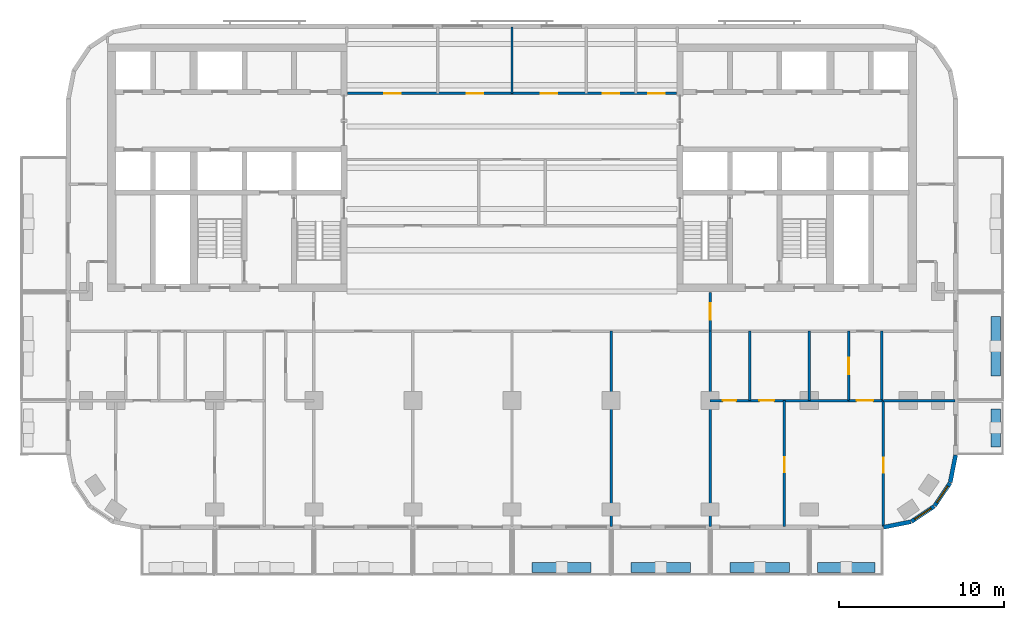
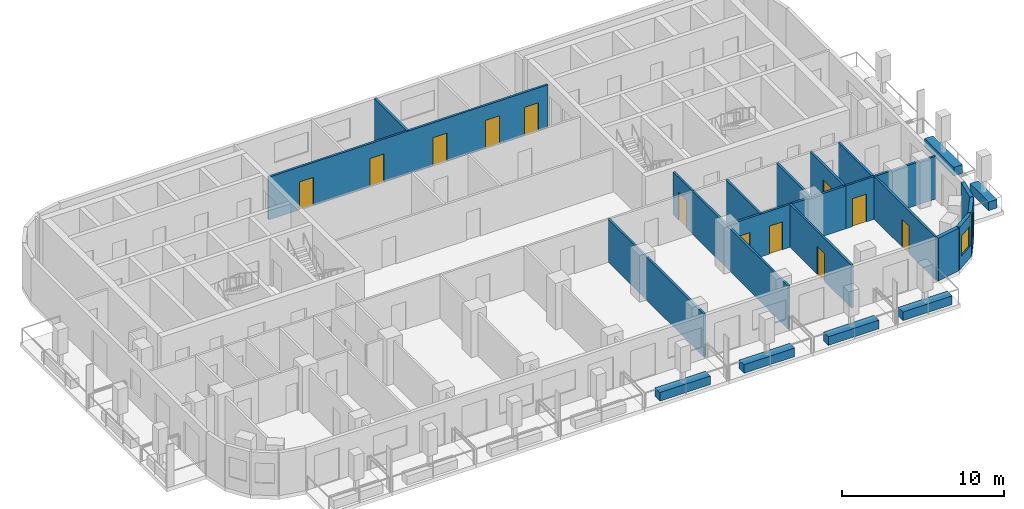
# One storey, part 5 of 11: 24 walls, 12 doors, 2 windows, 14 openings.
"""IFC4 building model written with IfcOpenShell, lengths in metres."""

from ifc_helpers import new_model, si_unit, direction, frame, frame_2d, origin, place, context, subcontext, project, spatial, rectangle, extrude, material, layer, layer_set, type_object, element, fill, save


model = new_model("IFC4")

# Units and contexts
model_context = context("Model", 3, precision=1e-05, world=origin(), true_north=direction((0.0, 1.0)))
body_context = subcontext(model_context, "Body", "Model", "MODEL_VIEW")
ifc_project = project(units=[si_unit("LENGTHUNIT", "METRE"), si_unit("AREAUNIT", "SQUARE_METRE"), si_unit("VOLUMEUNIT", "CUBIC_METRE"), si_unit("PLANEANGLEUNIT", "RADIAN"), si_unit("MASSUNIT", "GRAM", prefix="KILO")], contexts=[model_context])

# Site, building, storey
site_placement = place(None, origin())
site = spatial("IfcSite", under=ifc_project, at=site_placement, CompositionType="ELEMENT")
building_placement = place(site_placement, origin())
building = spatial("IfcBuilding", under=site, at=building_placement, Name="Torana Hotel and Residences", CompositionType="ELEMENT")
storey_placement = place(building_placement, frame((0.0, 0.0, 236.10009765625)))
storey = spatial("IfcBuildingStorey", under=building, at=storey_placement, Name="L62", CompositionType="ELEMENT", Elevation=236.10009765625)

# Wall
ifc_material_1 = material(Name="Black aluminium composite panel", Category="aluminium")
ifc_layer_1 = layer(ifc_material_1, 0.00390625, Name="Cladding", Category="cladding")
ifc_material_2 = material(Name="Ventilated air cavity")
ifc_layer_2 = layer(ifc_material_2, 0.0400390625, Name="Ventilated cavity", Category="cavity")
ifc_material_3 = material(Name="Mineral wool insulation")
ifc_layer_3 = layer(ifc_material_3, 0.090087890625, Name="Insulation", Category="insulation")
ifc_material_4 = material(Name="Steel S280GD", Category="steel")
ifc_layer_4 = layer(ifc_material_4, 0.092041015625, Name="Steel stud frame", Category="structure")
ifc_material_5 = material(Name="Fire rated plasterboard")
ifc_layer_5 = layer(ifc_material_5, 0.011962890625, Name="Inner board", Category="finish")
ifc_layer_6 = layer(ifc_material_5, 0.011962890625, Name="Second board", Category="finish")
ifc_layer_set_1 = layer_set([ifc_layer_1, ifc_layer_2, ifc_layer_3, ifc_layer_4, ifc_layer_5, ifc_layer_6], Name="EW1 EXTERNAL WALL BLACK METAL CLAD 250")
wall_type_1 = type_object("IfcWallType", Name="EW1 EXTERNAL WALL BLACK METAL CLAD 250", PredefinedType="SOLIDWALL", material=ifc_layer_set_1)
wall_1_placement = place(storey_placement, frame((22.499755859375, -29.272705078125, 0.0), z_axis=(0.0, 0.0, 1.0), x_axis=(0.980775640221, 0.19513878023, 0.0)))
element("IfcWall", 1, at=wall_1_placement, inside=storey, type_object=wall_type_1, Name="External wall L62 e0.15", PredefinedType="SOLIDWALL", context=body_context, shape_type="SweptSolid", body=[
    extrude(rectangle(XDim=1.681396484375, YDim=0.25, at=frame_2d((0.8408203125, 0.0))), origin(), (0.0, 0.0, 1.0), 3.219970703125),
])

# Wall, opening, window
wall_2_placement = place(storey_placement, frame((24.194091796875, -28.92578125, 0.0), z_axis=(0.0, 0.0, 1.0), x_axis=(0.831482937015, 0.55555029066, 0.0)))
wall_2 = element("IfcWall", 2, at=wall_2_placement, inside=storey, type_object=wall_type_1, Name="External wall L62 e0.16", PredefinedType="SOLIDWALL", context=body_context, shape_type="SweptSolid", body=[
    extrude(rectangle(XDim=1.65625, YDim=0.25, at=frame_2d((0.828125, 0.0))), origin(), (0.0, 0.0, 1.0), 3.219970703125),
])
opening_1_placement = place(wall_2_placement, frame((0.228271484375, 0.0, 0.89990234375)))
opening_1 = element("IfcOpeningElement", 3, at=opening_1_placement, cuts=wall_2, Name="Opening W5", PredefinedType="OPENING", context=body_context, shape_type="SweptSolid", body=[
    extrude(rectangle(XDim=1.199951171875, YDim=1.5, at=frame_2d((0.60009765625, 0.75))), frame((0.0, 0.135009765625, 0.0), z_axis=(0.0, -1.0, 0.0), x_axis=(1.0, 0.0, 0.0)), (0.0, 0.0, 1.0), 0.27001953125),
])
ifc_material_6 = material(Name="Dark glass in black aluminium frame", Category="aluminium")
window_type = type_object("IfcWindowType", Name="W5 CORNER FACET WINDOW 1200x1500", PartitioningType="SINGLE_PANEL", PredefinedType="WINDOW", material=ifc_material_6)
window_1_placement = place(opening_1_placement, origin())
window_1 = element("IfcWindow", 4, at=window_1_placement, inside=storey, type_object=window_type, Name="Window L62 e0.16", OverallHeight=1.5, OverallWidth=1.199951171875, PartitioningType="SINGLE_PANEL", PredefinedType="WINDOW", context=body_context, shape_type="SweptSolid", body=[
    extrude(rectangle(XDim=1.199951171875, YDim=1.5, at=frame_2d((0.60009765625, 0.75))), frame((0.0, 0.030029296875, 0.0), z_axis=(0.0, -1.0, 0.0), x_axis=(1.0, 0.0, 0.0)), (0.0, 0.0, 1.0), 0.06005859375),
])
fill(opening_1, window_1)

wall_3_placement = place(storey_placement, frame((25.605712890625, -27.97119140625, 0.0), z_axis=(0.0, 0.0, 1.0), x_axis=(0.55555029066, 0.831482937015, 0.0)))
wall_3 = element("IfcWall", 5, at=wall_3_placement, inside=storey, type_object=wall_type_1, Name="External wall L62 e0.17", PredefinedType="SOLIDWALL", context=body_context, shape_type="SweptSolid", body=[
    extrude(rectangle(XDim=1.65625, YDim=0.25, at=frame_2d((0.828125, 0.0))), origin(), (0.0, 0.0, 1.0), 3.219970703125),
])
opening_2_placement = place(wall_3_placement, frame((0.228271484375, 0.0, 0.89990234375)))
opening_2 = element("IfcOpeningElement", 6, at=opening_2_placement, cuts=wall_3, Name="Opening W5", PredefinedType="OPENING", context=body_context, shape_type="SweptSolid", body=[
    extrude(rectangle(XDim=1.199951171875, YDim=1.5, at=frame_2d((0.60009765625, 0.75))), frame((0.0, 0.135009765625, 0.0), z_axis=(0.0, -1.0, 0.0), x_axis=(1.0, 0.0, 0.0)), (0.0, 0.0, 1.0), 0.27001953125),
])
window_2_placement = place(opening_2_placement, origin())
window_2 = element("IfcWindow", 7, at=window_2_placement, inside=storey, type_object=window_type, Name="Window L62 e0.17", OverallHeight=1.5, OverallWidth=1.199951171875, PartitioningType="SINGLE_PANEL", PredefinedType="WINDOW", context=body_context, shape_type="SweptSolid", body=[
    extrude(rectangle(XDim=1.199951171875, YDim=1.5, at=frame_2d((0.60009765625, 0.75))), frame((0.0, 0.030029296875, 0.0), z_axis=(0.0, -1.0, 0.0), x_axis=(1.0, 0.0, 0.0)), (0.0, 0.0, 1.0), 0.06005859375),
])
fill(opening_2, window_2)

# Walls
wall_4_placement = place(storey_placement, frame((26.544677734375, -26.548828125, 0.0), z_axis=(0.0, 0.0, 1.0), x_axis=(0.195026884138, 0.980797896849, 0.0)))
element("IfcWall", 8, at=wall_4_placement, inside=storey, type_object=wall_type_1, Name="External wall L62 e0.18", PredefinedType="SOLIDWALL", context=body_context, shape_type="SweptSolid", body=[
    extrude(rectangle(XDim=1.68115234375, YDim=0.25, at=frame_2d((0.840576171875, 0.0))), origin(), (0.0, 0.0, 1.0), 3.219970703125),
])
ifc_material_7 = material(Name="Gypsum plaster")
ifc_layer_7 = layer(ifc_material_7, 0.014892578125, Name="Plaster", Category="finish")
ifc_material_8 = material(Name="Concrete blockwork", Category="masonry")
ifc_layer_8 = layer(ifc_material_8, 0.1201171875, Name="Blockwork", Category="structure")
ifc_layer_9 = layer(ifc_material_7, 0.014892578125, Name="Plaster", Category="finish")
ifc_layer_set_2 = layer_set([ifc_layer_7, ifc_layer_8, ifc_layer_9], Name="FIRE PARTITION 150 BLOCKWORK")
wall_type_2 = type_object("IfcWallType", Name="FIRE PARTITION 150 BLOCKWORK", PredefinedType="PARTITIONING", material=ifc_layer_set_2)
wall_5_placement = place(storey_placement, frame((22.39990234375, -21.60009765625, 0.0), z_axis=(0.0, 0.0, 1.0), x_axis=(0.0, 1.0, 0.0)))
element("IfcWall", 9, at=wall_5_placement, inside=storey, type_object=wall_type_2, Name="Partition L62", PredefinedType="PARTITIONING", context=body_context, shape_type="SweptSolid", body=[
    extrude(rectangle(XDim=4.2001953125, YDim=0.14990234375, at=frame_2d((2.10009765625, 0.0))), origin(), (0.0, 0.0, 1.0), 3.219970703125),
])

# Wall, opening, door
wall_6_placement = place(storey_placement, frame((20.39990234375, -21.60009765625, 0.0), z_axis=(0.0, 0.0, 1.0), x_axis=(0.0, 1.0, 0.0)))
wall_6 = element("IfcWall", 10, at=wall_6_placement, inside=storey, type_object=wall_type_2, Name="Partition L62", PredefinedType="PARTITIONING", context=body_context, shape_type="SweptSolid", body=[
    extrude(rectangle(XDim=4.2001953125, YDim=0.14990234375, at=frame_2d((2.10009765625, 0.0))), origin(), (0.0, 0.0, 1.0), 3.219970703125),
])
opening_3_placement = place(wall_6_placement, frame((1.60009765625, 0.0, 0.0)))
opening_3 = element("IfcOpeningElement", 11, at=opening_3_placement, cuts=wall_6, Name="Opening L62-58", PredefinedType="OPENING", context=body_context, shape_type="SweptSolid", body=[
    extrude(rectangle(XDim=1.0, YDim=2.10009765625, at=frame_2d((0.5, 1.050048828125))), frame((0.0, 0.0849609375, 0.0), z_axis=(0.0, -1.0, 0.0), x_axis=(1.0, 0.0, 0.0)), (0.0, 0.0, 1.0), 0.169921875),
])
ifc_material_9 = material(Name="Steel S235", Category="steel")
door_type_1 = type_object("IfcDoorType", Name="ENTRY FIRE DOOR D6 1000x2100", OperationType="SINGLE_SWING_LEFT", PredefinedType="DOOR", material=ifc_material_9)
door_1_placement = place(opening_3_placement, origin())
door_1 = element("IfcDoor", 12, at=door_1_placement, inside=storey, type_object=door_type_1, Name="Door L62", OperationType="SINGLE_SWING_RIGHT", OverallHeight=2.10009765625, OverallWidth=1.0, PredefinedType="DOOR", context=body_context, shape_type="SweptSolid", body=[
    extrude(rectangle(XDim=1.0, YDim=2.10009765625, at=frame_2d((0.5, 1.050048828125))), frame((0.0, 0.02490234375, 0.0), z_axis=(0.0, -1.0, 0.0), x_axis=(1.0, 0.0, 0.0)), (0.0, 0.0, 1.0), 0.050048828125),
])
fill(opening_3, door_1)

wall_7_placement = place(storey_placement, frame((12.0, -17.39990234375, 0.0), z_axis=(0.0, 0.0, 1.0), x_axis=(0.0, 1.0, 0.0)))
wall_7 = element("IfcWall", 13, at=wall_7_placement, inside=storey, type_object=wall_type_2, Name="Partition L62", PredefinedType="PARTITIONING", context=body_context, shape_type="SweptSolid", body=[
    extrude(rectangle(XDim=2.349853515625, YDim=0.14990234375, at=frame_2d((1.1748046875, 0.0))), origin(), (0.0, 0.0, 1.0), 3.219970703125),
])
opening_4_placement = place(wall_7_placement, frame((0.699951171875, 0.0, 0.0)))
opening_4 = element("IfcOpeningElement", 14, at=opening_4_placement, cuts=wall_7, Name="Opening L62-32", PredefinedType="OPENING", context=body_context, shape_type="SweptSolid", body=[
    extrude(rectangle(XDim=1.0, YDim=2.10009765625, at=frame_2d((0.5, 1.050048828125))), frame((0.0, 0.0849609375, 0.0), z_axis=(0.0, -1.0, 0.0), x_axis=(1.0, 0.0, 0.0)), (0.0, 0.0, 1.0), 0.169921875),
])
door_2_placement = place(opening_4_placement, origin())
door_2 = element("IfcDoor", 15, at=door_2_placement, inside=storey, type_object=door_type_1, Name="Door L62", OperationType="SINGLE_SWING_RIGHT", OverallHeight=2.10009765625, OverallWidth=1.0, PredefinedType="DOOR", context=body_context, shape_type="SweptSolid", body=[
    extrude(rectangle(XDim=1.0, YDim=2.10009765625, at=frame_2d((0.5, 1.050048828125))), frame((0.0, 0.02490234375, 0.0), z_axis=(0.0, -1.0, 0.0), x_axis=(1.0, 0.0, 0.0)), (0.0, 0.0, 1.0), 0.050048828125),
])
fill(opening_4, door_2)

wall_8_placement = place(storey_placement, frame((20.39990234375, -21.60009765625, 0.0), z_axis=(0.0, 0.0, 1.0), x_axis=(1.0, 0.0, 0.0)))
wall_8 = element("IfcWall", 16, at=wall_8_placement, inside=storey, type_object=wall_type_2, Name="Partition L62", PredefinedType="PARTITIONING", context=body_context, shape_type="SweptSolid", body=[
    extrude(rectangle(XDim=2.0, YDim=0.14990234375, at=frame_2d((1.0, 0.0))), origin(), (0.0, 0.0, 1.0), 3.219970703125),
])
opening_5_placement = place(wall_8_placement, frame((0.47998046875, 0.0, 0.0)))
opening_5 = element("IfcOpeningElement", 17, at=opening_5_placement, cuts=wall_8, Name="Opening L62-59", PredefinedType="OPENING", context=body_context, shape_type="SweptSolid", body=[
    extrude(rectangle(XDim=1.0, YDim=2.10009765625, at=frame_2d((0.5, 1.050048828125))), frame((0.0, 0.0849609375, 0.0), z_axis=(0.0, -1.0, 0.0), x_axis=(1.0, 0.0, 0.0)), (0.0, 0.0, 1.0), 0.169921875),
])
door_3_placement = place(opening_5_placement, frame((0.5, 0.0, 0.0), z_axis=(0.0, 0.0, 1.0), x_axis=(-1.0, 0.0, 0.0)))
door_3 = element("IfcDoor", 18, at=door_3_placement, inside=storey, type_object=door_type_1, Name="Door L62", OperationType="SINGLE_SWING_RIGHT", OverallHeight=2.10009765625, OverallWidth=1.0, PredefinedType="DOOR", context=body_context, shape_type="SweptSolid", body=[
    extrude(rectangle(XDim=1.0, YDim=2.10009765625, at=frame_2d((0.0, 1.050048828125))), frame((0.0, -0.02490234375, 0.0), z_axis=(0.0, 1.0, 0.0), x_axis=(-1.0, 0.0, 0.0)), (0.0, 0.0, 1.0), 0.050048828125),
])
fill(opening_5, door_3)

# Wall, openings, doors
wall_9_placement = place(storey_placement, frame((-9.949951171875, -3.0, 0.0), z_axis=(0.0, 0.0, 1.0), x_axis=(1.0, 0.0, 0.0)))
wall_9 = element("IfcWall", 19, at=wall_9_placement, inside=storey, type_object=wall_type_2, Name="Partition L62", PredefinedType="PARTITIONING", context=body_context, shape_type="SweptSolid", body=[
    extrude(rectangle(XDim=19.89990234375, YDim=0.14990234375, at=frame_2d((9.949951171875, 0.0))), origin(), (0.0, 0.0, 1.0), 3.219970703125),
])
opening_6_placement = place(wall_9_placement, frame((2.199951171875, 0.0, 0.0)))
opening_6 = element("IfcOpeningElement", 20, at=opening_6_placement, cuts=wall_9, Name="Opening L62-44", PredefinedType="OPENING", context=body_context, shape_type="SweptSolid", body=[
    extrude(rectangle(XDim=1.0, YDim=2.10009765625, at=frame_2d((0.5, 1.050048828125))), frame((0.0, 0.0849609375, 0.0), z_axis=(0.0, -1.0, 0.0), x_axis=(1.0, 0.0, 0.0)), (0.0, 0.0, 1.0), 0.169921875),
])
opening_7_placement = place(wall_9_placement, frame((7.199951171875, 0.0, 0.0)))
opening_7 = element("IfcOpeningElement", 21, at=opening_7_placement, cuts=wall_9, Name="Opening L62-45", PredefinedType="OPENING", context=body_context, shape_type="SweptSolid", body=[
    extrude(rectangle(XDim=1.0, YDim=2.10009765625, at=frame_2d((0.5, 1.050048828125))), frame((0.0, 0.0849609375, 0.0), z_axis=(0.0, -1.0, 0.0), x_axis=(1.0, 0.0, 0.0)), (0.0, 0.0, 1.0), 0.169921875),
])
opening_8_placement = place(wall_9_placement, frame((11.699951171875, 0.0, 0.0)))
opening_8 = element("IfcOpeningElement", 22, at=opening_8_placement, cuts=wall_9, Name="Opening L62-46", PredefinedType="OPENING", context=body_context, shape_type="SweptSolid", body=[
    extrude(rectangle(XDim=1.0, YDim=2.10009765625, at=frame_2d((0.5, 1.050048828125))), frame((0.0, 0.0849609375, 0.0), z_axis=(0.0, -1.0, 0.0), x_axis=(1.0, 0.0, 0.0)), (0.0, 0.0, 1.0), 0.169921875),
])
opening_9_placement = place(wall_9_placement, frame((15.449951171875, 0.0, 0.0)))
opening_9 = element("IfcOpeningElement", 23, at=opening_9_placement, cuts=wall_9, Name="Opening L62-47", PredefinedType="OPENING", context=body_context, shape_type="SweptSolid", body=[
    extrude(rectangle(XDim=1.0, YDim=2.10009765625, at=frame_2d((0.5, 1.050048828125))), frame((0.0, 0.0849609375, 0.0), z_axis=(0.0, -1.0, 0.0), x_axis=(1.0, 0.0, 0.0)), (0.0, 0.0, 1.0), 0.169921875),
])
opening_10_placement = place(wall_9_placement, frame((18.199951171875, 0.0, 0.0)))
opening_10 = element("IfcOpeningElement", 24, at=opening_10_placement, cuts=wall_9, Name="Opening L62-48", PredefinedType="OPENING", context=body_context, shape_type="SweptSolid", body=[
    extrude(rectangle(XDim=1.0, YDim=2.10009765625, at=frame_2d((0.5, 1.050048828125))), frame((0.0, 0.0849609375, 0.0), z_axis=(0.0, -1.0, 0.0), x_axis=(1.0, 0.0, 0.0)), (0.0, 0.0, 1.0), 0.169921875),
])
door_4_placement = place(opening_6_placement, origin())
door_4 = element("IfcDoor", 25, at=door_4_placement, inside=storey, type_object=door_type_1, Name="Door L62", OperationType="SINGLE_SWING_RIGHT", OverallHeight=2.10009765625, OverallWidth=1.0, PredefinedType="DOOR", context=body_context, shape_type="SweptSolid", body=[
    extrude(rectangle(XDim=1.0, YDim=2.10009765625, at=frame_2d((0.5, 1.050048828125))), frame((0.0, 0.02490234375, 0.0), z_axis=(0.0, -1.0, 0.0), x_axis=(1.0, 0.0, 0.0)), (0.0, 0.0, 1.0), 0.050048828125),
])
fill(opening_6, door_4)
door_5_placement = place(opening_7_placement, origin())
door_5 = element("IfcDoor", 26, at=door_5_placement, inside=storey, type_object=door_type_1, Name="Door L62", OperationType="SINGLE_SWING_RIGHT", OverallHeight=2.10009765625, OverallWidth=1.0, PredefinedType="DOOR", context=body_context, shape_type="SweptSolid", body=[
    extrude(rectangle(XDim=1.0, YDim=2.10009765625, at=frame_2d((0.5, 1.050048828125))), frame((0.0, 0.02490234375, 0.0), z_axis=(0.0, -1.0, 0.0), x_axis=(1.0, 0.0, 0.0)), (0.0, 0.0, 1.0), 0.050048828125),
])
fill(opening_7, door_5)
door_6_placement = place(opening_8_placement, origin())
door_6 = element("IfcDoor", 27, at=door_6_placement, inside=storey, type_object=door_type_1, Name="Door L62", OperationType="SINGLE_SWING_RIGHT", OverallHeight=2.10009765625, OverallWidth=1.0, PredefinedType="DOOR", context=body_context, shape_type="SweptSolid", body=[
    extrude(rectangle(XDim=1.0, YDim=2.10009765625, at=frame_2d((0.5, 1.050048828125))), frame((0.0, 0.02490234375, 0.0), z_axis=(0.0, -1.0, 0.0), x_axis=(1.0, 0.0, 0.0)), (0.0, 0.0, 1.0), 0.050048828125),
])
fill(opening_8, door_6)
door_7_placement = place(opening_9_placement, origin())
door_7 = element("IfcDoor", 28, at=door_7_placement, inside=storey, type_object=door_type_1, Name="Door L62", OperationType="SINGLE_SWING_RIGHT", OverallHeight=2.10009765625, OverallWidth=1.0, PredefinedType="DOOR", context=body_context, shape_type="SweptSolid", body=[
    extrude(rectangle(XDim=1.0, YDim=2.10009765625, at=frame_2d((0.5, 1.050048828125))), frame((0.0, 0.02490234375, 0.0), z_axis=(0.0, -1.0, 0.0), x_axis=(1.0, 0.0, 0.0)), (0.0, 0.0, 1.0), 0.050048828125),
])
fill(opening_9, door_7)
door_8_placement = place(opening_10_placement, origin())
door_8 = element("IfcDoor", 29, at=door_8_placement, inside=storey, type_object=door_type_1, Name="Door L62", OperationType="SINGLE_SWING_RIGHT", OverallHeight=2.10009765625, OverallWidth=1.0, PredefinedType="DOOR", context=body_context, shape_type="SweptSolid", body=[
    extrude(rectangle(XDim=1.0, YDim=2.10009765625, at=frame_2d((0.5, 1.050048828125))), frame((0.0, 0.02490234375, 0.0), z_axis=(0.0, -1.0, 0.0), x_axis=(1.0, 0.0, 0.0)), (0.0, 0.0, 1.0), 0.050048828125),
])
fill(opening_10, door_8)

# Wall, opening, door
ifc_material_10 = material(Name="Gypsum plasterboard")
ifc_layer_10 = layer(ifc_material_10, 0.012451171875, Name="Plasterboard", Category="finish")
ifc_layer_11 = layer(ifc_material_10, 0.012451171875, Name="Plasterboard", Category="finish")
ifc_layer_12 = layer(ifc_material_4, 0.10009765625, Name="Steel studs with mineral wool", Category="insulation")
ifc_layer_13 = layer(ifc_material_10, 0.012451171875, Name="Plasterboard", Category="finish")
ifc_layer_14 = layer(ifc_material_10, 0.012451171875, Name="Plasterboard", Category="finish")
ifc_layer_set_3 = layer_set([ifc_layer_10, ifc_layer_11, ifc_layer_12, ifc_layer_13, ifc_layer_14], Name="PARTITION 150 PLASTERBOARD")
wall_type_3 = type_object("IfcWallType", Name="PARTITION 150 PLASTERBOARD", PredefinedType="PARTITIONING", material=ifc_layer_set_3)
wall_10_placement = place(storey_placement, frame((22.5, -29.216552734375, 0.0), z_axis=(0.0, 0.0, 1.0), x_axis=(0.0, 1.0, 0.0)))
wall_10 = element("IfcWall", 30, at=wall_10_placement, inside=storey, type_object=wall_type_3, Name="Partition L62", PredefinedType="PARTITIONING", context=body_context, shape_type="SweptSolid", body=[
    extrude(rectangle(XDim=7.616455078125, YDim=0.14990234375, at=frame_2d((3.80810546875, 0.0))), origin(), (0.0, 0.0, 1.0), 3.219970703125),
])
opening_11_placement = place(wall_10_placement, frame((3.24658203125, 0.0, 0.0)))
opening_11 = element("IfcOpeningElement", 31, at=opening_11_placement, cuts=wall_10, Name="Opening L62-61", PredefinedType="OPENING", context=body_context, shape_type="SweptSolid", body=[
    extrude(rectangle(XDim=0.89990234375, YDim=2.10009765625, at=frame_2d((0.449951171875, 1.050048828125))), frame((0.0, 0.0849609375, 0.0), z_axis=(0.0, -1.0, 0.0), x_axis=(1.0, 0.0, 0.0)), (0.0, 0.0, 1.0), 0.169921875),
])
ifc_material_11 = material(Name="Timber door, oiled ash", Category="wood")
door_type_2 = type_object("IfcDoorType", Name="ROOM DOOR D7 900x2100", OperationType="SINGLE_SWING_LEFT", PredefinedType="DOOR", material=ifc_material_11)
door_9_placement = place(opening_11_placement, origin())
door_9 = element("IfcDoor", 32, at=door_9_placement, inside=storey, type_object=door_type_2, Name="Door L62", OperationType="SINGLE_SWING_RIGHT", OverallHeight=2.10009765625, OverallWidth=0.89990234375, PredefinedType="DOOR", context=body_context, shape_type="SweptSolid", body=[
    extrude(rectangle(XDim=0.89990234375, YDim=2.10009765625, at=frame_2d((0.449951171875, 1.050048828125))), frame((0.0, 0.02490234375, 0.0), z_axis=(0.0, -1.0, 0.0), x_axis=(1.0, 0.0, 0.0)), (0.0, 0.0, 1.0), 0.050048828125),
])
fill(opening_11, door_9)

# Wall
wall_11_placement = place(storey_placement, frame((18.0, -21.60009765625, 0.0), z_axis=(0.0, 0.0, 1.0), x_axis=(0.0, 1.0, 0.0)))
element("IfcWall", 33, at=wall_11_placement, inside=storey, type_object=wall_type_3, Name="Partition L62", PredefinedType="PARTITIONING", context=body_context, shape_type="SweptSolid", body=[
    extrude(rectangle(XDim=4.2001953125, YDim=0.14990234375, at=frame_2d((2.10009765625, 0.0))), origin(), (0.0, 0.0, 1.0), 3.219970703125),
])

# Wall, opening, door
wall_12_placement = place(storey_placement, frame((16.5, -29.219970703125, 0.0), z_axis=(0.0, 0.0, 1.0), x_axis=(0.0, 1.0, 0.0)))
wall_12 = element("IfcWall", 34, at=wall_12_placement, inside=storey, type_object=wall_type_3, Name="Partition L62", PredefinedType="PARTITIONING", context=body_context, shape_type="SweptSolid", body=[
    extrude(rectangle(XDim=7.619873046875, YDim=0.14990234375, at=frame_2d((3.81005859375, 0.0))), origin(), (0.0, 0.0, 1.0), 3.219970703125),
])
opening_12_placement = place(wall_12_placement, frame((3.2900390625, 0.0, 0.0)))
opening_12 = element("IfcOpeningElement", 35, at=opening_12_placement, cuts=wall_12, Name="Opening L62-60", PredefinedType="OPENING", context=body_context, shape_type="SweptSolid", body=[
    extrude(rectangle(XDim=0.89990234375, YDim=2.10009765625, at=frame_2d((0.449951171875, 1.050048828125))), frame((0.0, 0.0849609375, 0.0), z_axis=(0.0, -1.0, 0.0), x_axis=(1.0, 0.0, 0.0)), (0.0, 0.0, 1.0), 0.169921875),
])
door_10_placement = place(opening_12_placement, origin())
door_10 = element("IfcDoor", 36, at=door_10_placement, inside=storey, type_object=door_type_2, Name="Door L62", OperationType="SINGLE_SWING_RIGHT", OverallHeight=2.10009765625, OverallWidth=0.89990234375, PredefinedType="DOOR", context=body_context, shape_type="SweptSolid", body=[
    extrude(rectangle(XDim=0.89990234375, YDim=2.10009765625, at=frame_2d((0.449951171875, 1.050048828125))), frame((0.0, 0.02490234375, 0.0), z_axis=(0.0, -1.0, 0.0), x_axis=(1.0, 0.0, 0.0)), (0.0, 0.0, 1.0), 0.050048828125),
])
fill(opening_12, door_10)

# Walls
wall_13_placement = place(storey_placement, frame((14.39990234375, -21.60009765625, 0.0), z_axis=(0.0, 0.0, 1.0), x_axis=(0.0, 1.0, 0.0)))
element("IfcWall", 37, at=wall_13_placement, inside=storey, type_object=wall_type_3, Name="Partition L62", PredefinedType="PARTITIONING", context=body_context, shape_type="SweptSolid", body=[
    extrude(rectangle(XDim=4.2001953125, YDim=0.14990234375, at=frame_2d((2.10009765625, 0.0))), origin(), (0.0, 0.0, 1.0), 3.219970703125),
])
for number, where, z_axis, x_axis, name in (
    (38, (12.0, -29.219970703125, 0.0), (0.0, 0.0, 1.0), (0.0, 1.0, 0.0), "Partition L62"),
    (39, (6.0, -29.219970703125, 0.0), (0.0, 0.0, 1.0), (0.0, 1.0, 0.0), "Partition L62"),
):
    element("IfcWall", number, at=place(storey_placement, frame(where, z_axis=z_axis, x_axis=x_axis)), inside=storey, type_object=wall_type_3, Name=name, PredefinedType="PARTITIONING", context=body_context, shape_type="SweptSolid", body=[
        extrude(rectangle(XDim=11.820068359375, YDim=0.14990234375, at=frame_2d((5.91015625, 0.0))), origin(), (0.0, 0.0, 1.0), 3.219970703125),
    ])
wall_14_placement = place(storey_placement, frame((0.0, -3.0, 0.0), z_axis=(0.0, 0.0, 1.0), x_axis=(0.0, 1.0, 0.0)))
element("IfcWall", 40, at=wall_14_placement, inside=storey, type_object=wall_type_3, Name="Partition L62", PredefinedType="PARTITIONING", context=body_context, shape_type="SweptSolid", body=[
    extrude(rectangle(XDim=4.02001953125, YDim=0.14990234375, at=frame_2d((2.010009765625, 0.0))), origin(), (0.0, 0.0, 1.0), 3.219970703125),
])

# Wall, openings, doors
wall_15_placement = place(storey_placement, frame((12.0, -21.60009765625, 0.0), z_axis=(0.0, 0.0, 1.0), x_axis=(1.0, 0.0, 0.0)))
wall_15 = element("IfcWall", 41, at=wall_15_placement, inside=storey, type_object=wall_type_3, Name="Partition L62", PredefinedType="PARTITIONING", context=body_context, shape_type="SweptSolid", body=[
    extrude(rectangle(XDim=8.39990234375, YDim=0.14990234375, at=frame_2d((4.199951171875, 0.0))), origin(), (0.0, 0.0, 1.0), 3.219970703125),
])
opening_13_placement = place(wall_15_placement, frame((0.780029296875, 0.0, 0.0)))
opening_13 = element("IfcOpeningElement", 42, at=opening_13_placement, cuts=wall_15, Name="Opening L62-56", PredefinedType="OPENING", context=body_context, shape_type="SweptSolid", body=[
    extrude(rectangle(XDim=0.800048828125, YDim=2.10009765625, at=frame_2d((0.39990234375, 1.050048828125))), frame((0.0, 0.0849609375, 0.0), z_axis=(0.0, -1.0, 0.0), x_axis=(1.0, 0.0, 0.0)), (0.0, 0.0, 1.0), 0.169921875),
])
opening_14_placement = place(wall_15_placement, frame((2.97998046875, 0.0, 0.0)))
opening_14 = element("IfcOpeningElement", 43, at=opening_14_placement, cuts=wall_15, Name="Opening L62-57", PredefinedType="OPENING", context=body_context, shape_type="SweptSolid", body=[
    extrude(rectangle(XDim=0.89990234375, YDim=2.10009765625, at=frame_2d((0.449951171875, 1.050048828125))), frame((0.0, 0.0849609375, 0.0), z_axis=(0.0, -1.0, 0.0), x_axis=(1.0, 0.0, 0.0)), (0.0, 0.0, 1.0), 0.169921875),
])
ifc_material_12 = material(Name="Timber door, painted", Category="wood")
door_type_3 = type_object("IfcDoorType", Name="BATH DOOR D13 800x2100", OperationType="SINGLE_SWING_LEFT", PredefinedType="DOOR", material=ifc_material_12)
door_11_placement = place(opening_13_placement, origin())
door_11 = element("IfcDoor", 44, at=door_11_placement, inside=storey, type_object=door_type_3, Name="Door L62", OperationType="SINGLE_SWING_RIGHT", OverallHeight=2.10009765625, OverallWidth=0.800048828125, PredefinedType="DOOR", context=body_context, shape_type="SweptSolid", body=[
    extrude(rectangle(XDim=0.800048828125, YDim=2.10009765625, at=frame_2d((0.39990234375, 1.050048828125))), frame((0.0, 0.02490234375, 0.0), z_axis=(0.0, -1.0, 0.0), x_axis=(1.0, 0.0, 0.0)), (0.0, 0.0, 1.0), 0.050048828125),
])
fill(opening_13, door_11)
door_12_placement = place(opening_14_placement, origin())
door_12 = element("IfcDoor", 45, at=door_12_placement, inside=storey, type_object=door_type_2, Name="Door L62", OperationType="SINGLE_SWING_RIGHT", OverallHeight=2.10009765625, OverallWidth=0.89990234375, PredefinedType="DOOR", context=body_context, shape_type="SweptSolid", body=[
    extrude(rectangle(XDim=0.89990234375, YDim=2.10009765625, at=frame_2d((0.449951171875, 1.050048828125))), frame((0.0, 0.02490234375, 0.0), z_axis=(0.0, -1.0, 0.0), x_axis=(1.0, 0.0, 0.0)), (0.0, 0.0, 1.0), 0.050048828125),
])
fill(opening_14, door_12)

# Walls
wall_16_placement = place(storey_placement, frame((22.5, -21.60009765625, 0.0), z_axis=(0.0, 0.0, 1.0), x_axis=(1.0, 0.0, 0.0)))
element("IfcWall", 46, at=wall_16_placement, inside=storey, type_object=wall_type_3, Name="Partition L62", PredefinedType="PARTITIONING", context=body_context, shape_type="SweptSolid", body=[
    extrude(rectangle(XDim=4.320068359375, YDim=0.14990234375, at=frame_2d((2.16015625, 0.0))), origin(), (0.0, 0.0, 1.0), 3.219970703125),
])
ifc_material_13 = material(Name="Concrete C40/50 precast", Category="concrete")
ifc_layer_15 = layer(ifc_material_13, 0.10009765625, Name="Planter shell", Category="structure")
ifc_material_14 = material(Name="Root resistant membrane")
ifc_layer_16 = layer(ifc_material_14, 0.00390625, Name="Waterproofing membrane", Category="membrane")
ifc_material_15 = material(Name="Drainage board with filter fleece")
ifc_layer_17 = layer(ifc_material_15, 0.02001953125, Name="Drainage board", Category="drainage")
ifc_material_16 = material(Name="Growing medium")
ifc_layer_18 = layer(ifc_material_16, 0.47607421875, Name="Planting substrate", Category="soil")
ifc_layer_set_4 = layer_set([ifc_layer_15, ifc_layer_16, ifc_layer_17, ifc_layer_18], Name="PL1 BALCONY PLANTER 600")
wall_type_4 = type_object("IfcWallType", Name="PL1 BALCONY PLANTER 600", PredefinedType="USERDEFINED", material=ifc_layer_set_4)
for number, where, z_axis, x_axis, name in (
    (47, (4.800048828125, -31.699951171875, 0.0), (0.0, 0.0, 1.0), (-1.0, 0.0, 0.0), "Planter 05"),
    (48, (10.800048828125, -31.699951171875, 0.0), (0.0, 0.0, 1.0), (-1.0, 0.0, 0.0), "Planter 06"),
    (49, (16.800048828125, -31.699951171875, 0.0), (0.0, 0.0, 1.0), (-1.0, 0.0, 0.0), "Planter 07"),
):
    element("IfcWall", number, at=place(storey_placement, frame(where, z_axis=z_axis, x_axis=x_axis)), inside=storey, type_object=wall_type_4, Name=name, ObjectType="PLANTER", PredefinedType="USERDEFINED", context=body_context, shape_type="SweptSolid", body=[
        extrude(rectangle(XDim=3.60009765625, YDim=0.60009765625, at=frame_2d((1.800048828125, 0.0))), origin(), (0.0, 0.0, 1.0), 0.64990234375),
    ])
wall_17_placement = place(storey_placement, frame((22.0, -31.699951171875, 0.0), z_axis=(0.0, 0.0, 1.0), x_axis=(-1.0, 0.0, 0.0)))
element("IfcWall", 50, at=wall_17_placement, inside=storey, type_object=wall_type_4, Name="Planter 08", ObjectType="PLANTER", PredefinedType="USERDEFINED", context=body_context, shape_type="SweptSolid", body=[
    extrude(rectangle(XDim=3.5, YDim=0.60009765625, at=frame_2d((1.75, 0.0))), origin(), (0.0, 0.0, 1.0), 0.64990234375),
])
wall_18_placement = place(storey_placement, frame((29.300048828125, -22.10009765625, 0.0), z_axis=(0.0, 0.0, 1.0), x_axis=(0.0, -1.0, 0.0)))
element("IfcWall", 51, at=wall_18_placement, inside=storey, type_object=wall_type_4, Name="Planter 12", ObjectType="PLANTER", PredefinedType="USERDEFINED", context=body_context, shape_type="SweptSolid", body=[
    extrude(rectangle(XDim=2.2998046875, YDim=0.60009765625, at=frame_2d((1.14990234375, 0.0))), origin(), (0.0, 0.0, 1.0), 0.64990234375),
])
wall_19_placement = place(storey_placement, frame((29.300048828125, -16.5, 0.0), z_axis=(0.0, 0.0, 1.0), x_axis=(0.0, -1.0, 0.0)))
element("IfcWall", 52, at=wall_19_placement, inside=storey, type_object=wall_type_4, Name="Planter 13", ObjectType="PLANTER", PredefinedType="USERDEFINED", context=body_context, shape_type="SweptSolid", body=[
    extrude(rectangle(XDim=3.60009765625, YDim=0.60009765625, at=frame_2d((1.800048828125, 0.0))), origin(), (0.0, 0.0, 1.0), 0.64990234375),
])

save(model, "model.ifc")
